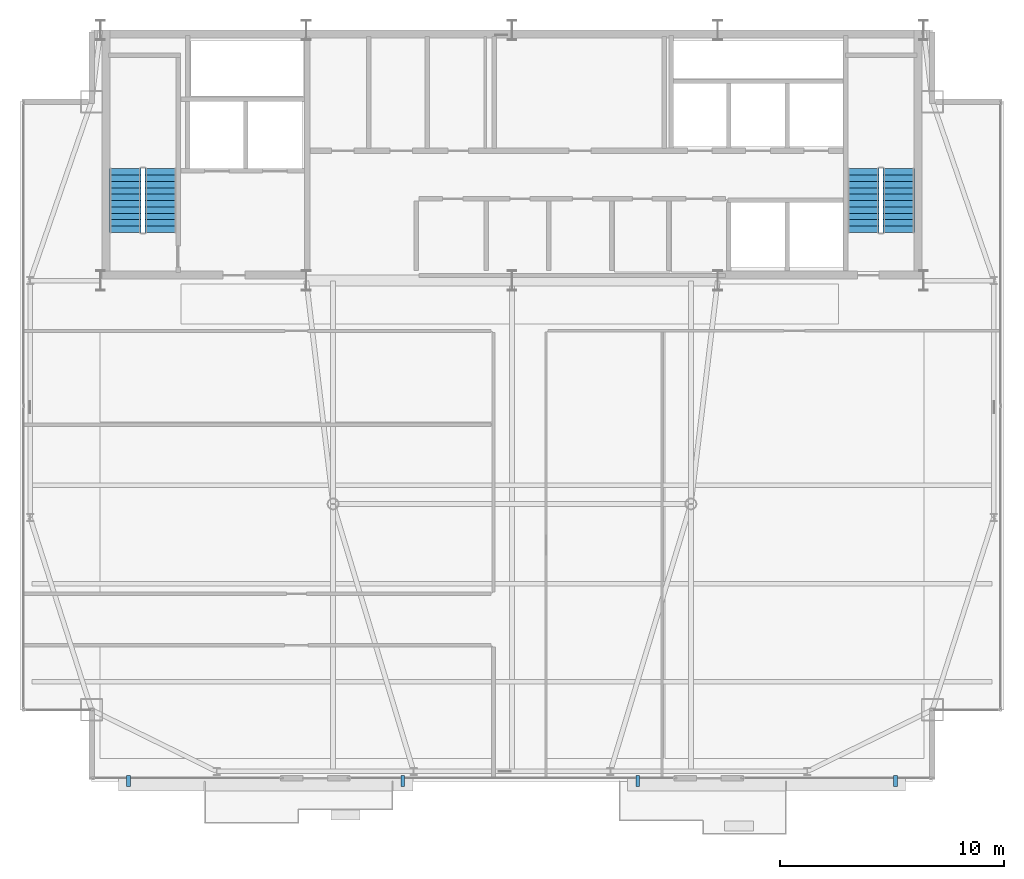
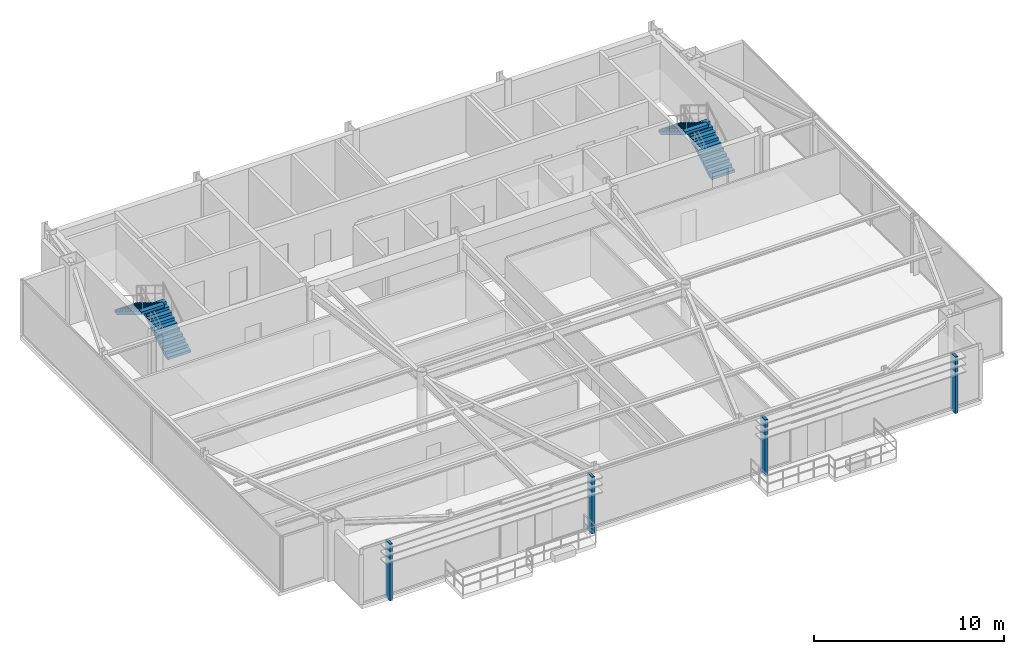
# One storey, part 21 of 23: 4 discrete accessories, 4 stair flights, 2 elements without a shape of their own.
"""IFC4 building model written with IfcOpenShell, lengths in metres."""

from ifc_helpers import new_model, si_unit, direction, frame, origin, origin_2d, place, context, subcontext, project, spatial, polyline, rectangle, outline, extrude, source, transform, mapped, material, layer, layer_set, type_object, type_shapes, element, aggregate, save


model = new_model("IFC4")

# Units and contexts
model_context = context("Model", 3, precision=1e-05, world=origin(), true_north=direction((0.0, 1.0)))
body_context = subcontext(model_context, "Body", "Model", "MODEL_VIEW")
ifc_project = project(units=[si_unit("LENGTHUNIT", "METRE"), si_unit("AREAUNIT", "SQUARE_METRE"), si_unit("VOLUMEUNIT", "CUBIC_METRE"), si_unit("PLANEANGLEUNIT", "RADIAN"), si_unit("MASSUNIT", "GRAM", prefix="KILO")], contexts=[model_context])

# Site, building, storey
site_placement = place(None, origin())
site = spatial("IfcSite", under=ifc_project, at=site_placement, CompositionType="ELEMENT")
building_placement = place(site_placement, origin())
building = spatial("IfcBuilding", under=site, at=building_placement, Name="Varnel Quay Broadcast Tower", CompositionType="ELEMENT")
storey_placement = place(building_placement, frame((0.0, 0.0, 266.0)))
storey = spatial("IfcBuildingStorey", under=building, at=storey_placement, Name="L66", CompositionType="ELEMENT", Elevation=266.0)

# Stair, stair flights
ifc_material_1 = material(Name="Precast Structural Concrete C40/50", Category="concrete")
stair_type_1 = type_object("IfcStairType", Name="Stair_ST-01", PredefinedType="HALF_TURN_STAIR", material=ifc_material_1)
stair_1_placement = place(storey_placement, origin())
stair_1 = element("IfcStair", 1, at=stair_1_placement, inside=storey, type_object=stair_type_1, Name="L66 West Core Exit Stair 1", PredefinedType="HALF_TURN_STAIR")
stair_flight_type_1 = type_object("IfcStairFlightType", Name="Flight_ST-01", PredefinedType="STRAIGHT", material=ifc_material_1)
stair_flight_1_placement = place(storey_placement, frame((18.300048828125, 37.75, 0.0), z_axis=(0.0, 0.0, 1.0), x_axis=(0.0, 1.0, 0.0)))
stair_flight_1 = element("IfcStairFlight", 2, at=stair_flight_1_placement, type_object=stair_flight_type_1, Name="ST-01 flight 1", NumberOfRisers=11, NumberOfTreads=10, PredefinedType="STRAIGHT", RiserHeight=0.172727273, TreadLength=0.285, context=body_context, shape_type="SweptSolid", body=[
    extrude(outline(polyline([(0.0, 0.0), (0.0, 0.172607421875), (0.284912109375, 0.172607421875), (0.284912109375, 0.345458984375), (0.570068359375, 0.345458984375), (0.570068359375, 0.51806640625), (0.85498046875, 0.51806640625), (0.85498046875, 0.69091796875), (1.139892578125, 0.69091796875), (1.139892578125, 0.863525390625), (1.425048828125, 0.863525390625), (1.425048828125, 1.036376953125), (1.7099609375, 1.036376953125), (1.7099609375, 1.208984375), (1.9951171875, 1.208984375), (1.9951171875, 1.3818359375), (2.280029296875, 1.3818359375), (2.280029296875, 1.554443359375), (2.56494140625, 1.554443359375), (2.56494140625, 1.727294921875), (2.85009765625, 1.727294921875), (2.85009765625, 1.89990234375), (2.85009765625, 1.552001953125), (0.289306640625, 0.0), (0.0, 0.0)])), frame((0.0, 0.699951171875, 0.0), z_axis=(0.0, -1.0, 0.0), x_axis=(1.0, 0.0, 0.0)), (0.0, 0.0, 1.0), 1.39990234375),
])
stair_flight_2_placement = place(storey_placement, frame((16.699951171875, 40.60009765625, 1.89990234375), z_axis=(0.0, 0.0, 1.0), x_axis=(0.0, -1.0, 0.0)))
stair_flight_2 = element("IfcStairFlight", 3, at=stair_flight_2_placement, type_object=stair_flight_type_1, Name="ST-01 flight 2", NumberOfRisers=11, NumberOfTreads=10, PredefinedType="STRAIGHT", RiserHeight=0.172727273, TreadLength=0.285, context=body_context, shape_type="SweptSolid", body=[
    extrude(outline(polyline([(0.0, 0.0), (0.0, 0.172607421875), (0.284912109375, 0.172607421875), (0.284912109375, 0.345458984375), (0.570068359375, 0.345458984375), (0.570068359375, 0.51806640625), (0.85498046875, 0.51806640625), (0.85498046875, 0.69091796875), (1.139892578125, 0.69091796875), (1.139892578125, 0.863525390625), (1.425048828125, 0.863525390625), (1.425048828125, 1.036376953125), (1.7099609375, 1.036376953125), (1.7099609375, 1.208984375), (1.9951171875, 1.208984375), (1.9951171875, 1.3818359375), (2.280029296875, 1.3818359375), (2.280029296875, 1.554443359375), (2.56494140625, 1.554443359375), (2.56494140625, 1.727294921875), (2.85009765625, 1.727294921875), (2.85009765625, 1.89990234375), (2.85009765625, 1.552001953125), (0.289306640625, 0.0), (0.0, 0.0)])), frame((0.0, 0.699951171875, 0.0), z_axis=(0.0, -1.0, 0.0), x_axis=(1.0, 0.0, 0.0)), (0.0, 0.0, 1.0), 1.39990234375),
])
aggregate(stair_1, [stair_flight_1, stair_flight_2])

stair_type_2 = type_object("IfcStairType", Name="Stair_ST-02", PredefinedType="HALF_TURN_STAIR", material=ifc_material_1)
stair_2_placement = place(storey_placement, origin())
stair_2 = element("IfcStair", 4, at=stair_2_placement, inside=storey, type_object=stair_type_2, Name="L66 East Core Exit Stair 2", PredefinedType="HALF_TURN_STAIR")
stair_flight_type_2 = type_object("IfcStairFlightType", Name="Flight_ST-02", PredefinedType="STRAIGHT", material=ifc_material_1)
stair_flight_3_placement = place(storey_placement, frame((51.300048828125, 37.75, 0.0), z_axis=(0.0, 0.0, 1.0), x_axis=(0.0, 1.0, 0.0)))
stair_flight_3 = element("IfcStairFlight", 5, at=stair_flight_3_placement, type_object=stair_flight_type_2, Name="ST-02 flight 1", NumberOfRisers=11, NumberOfTreads=10, PredefinedType="STRAIGHT", RiserHeight=0.172727273, TreadLength=0.285, context=body_context, shape_type="SweptSolid", body=[
    extrude(outline(polyline([(0.0, 0.0), (0.0, 0.172607421875), (0.284912109375, 0.172607421875), (0.284912109375, 0.345458984375), (0.570068359375, 0.345458984375), (0.570068359375, 0.51806640625), (0.85498046875, 0.51806640625), (0.85498046875, 0.69091796875), (1.139892578125, 0.69091796875), (1.139892578125, 0.863525390625), (1.425048828125, 0.863525390625), (1.425048828125, 1.036376953125), (1.7099609375, 1.036376953125), (1.7099609375, 1.208984375), (1.9951171875, 1.208984375), (1.9951171875, 1.3818359375), (2.280029296875, 1.3818359375), (2.280029296875, 1.554443359375), (2.56494140625, 1.554443359375), (2.56494140625, 1.727294921875), (2.85009765625, 1.727294921875), (2.85009765625, 1.89990234375), (2.85009765625, 1.552001953125), (0.289306640625, 0.0), (0.0, 0.0)])), frame((0.0, 0.699951171875, 0.0), z_axis=(0.0, -1.0, 0.0), x_axis=(1.0, 0.0, 0.0)), (0.0, 0.0, 1.0), 1.39990234375),
])
stair_flight_4_placement = place(storey_placement, frame((49.699951171875, 40.60009765625, 1.89990234375), z_axis=(0.0, 0.0, 1.0), x_axis=(0.0, -1.0, 0.0)))
stair_flight_4 = element("IfcStairFlight", 6, at=stair_flight_4_placement, type_object=stair_flight_type_2, Name="ST-02 flight 2", NumberOfRisers=11, NumberOfTreads=10, PredefinedType="STRAIGHT", RiserHeight=0.172727273, TreadLength=0.285, context=body_context, shape_type="SweptSolid", body=[
    extrude(outline(polyline([(0.0, 0.0), (0.0, 0.172607421875), (0.284912109375, 0.172607421875), (0.284912109375, 0.345458984375), (0.570068359375, 0.345458984375), (0.570068359375, 0.51806640625), (0.85498046875, 0.51806640625), (0.85498046875, 0.69091796875), (1.139892578125, 0.69091796875), (1.139892578125, 0.863525390625), (1.425048828125, 0.863525390625), (1.425048828125, 1.036376953125), (1.7099609375, 1.036376953125), (1.7099609375, 1.208984375), (1.9951171875, 1.208984375), (1.9951171875, 1.3818359375), (2.280029296875, 1.3818359375), (2.280029296875, 1.554443359375), (2.56494140625, 1.554443359375), (2.56494140625, 1.727294921875), (2.85009765625, 1.727294921875), (2.85009765625, 1.89990234375), (2.85009765625, 1.552001953125), (0.289306640625, 0.0), (0.0, 0.0)])), frame((0.0, 0.699951171875, 0.0), z_axis=(0.0, -1.0, 0.0), x_axis=(1.0, 0.0, 0.0)), (0.0, 0.0, 1.0), 1.39990234375),
])
aggregate(stair_2, [stair_flight_3, stair_flight_4])

# Discrete accessories
ifc_material_2 = material(Name="Anodised Bronze Aluminium 6063-T6", Category="aluminium")
ifc_layer = layer(ifc_material_2, 0.47998046875, Name="Anodised Bronze Aluminium 6063-T6")
ifc_layer_set = layer_set([ifc_layer], Name="Anodised Bronze Aluminium 6063-T6")
discrete_accessory_type = type_object("IfcDiscreteAccessoryType", Name="Acc_FacadeBracket", PredefinedType="BRACKET", material=ifc_layer_set)
shared_shape = source(origin(), body_context, "Body", "SweptSolid", [
    extrude(rectangle(XDim=0.159912109375, YDim=0.47998046875, at=origin_2d()), origin(), (0.0, 0.0, 1.0), 3.64990234375),
])
type_shapes(discrete_accessory_type, [shared_shape])
for number, where, z_axis, x_axis, name in (
    (7, (16.85009765625, 13.219970703125, -0.14990234375), (0.0, 0.0, 1.0), (1.0, 0.0, 0.0), "L66 Lobe 1 Louvre Support Bracket 1"),
    (8, (29.115966796875, 13.219970703125, -0.14990234375), (0.0, 0.0, 1.0), (1.0, 0.0, 0.0), "L66 Lobe 1 Louvre Support Bracket 2"),
    (9, (39.615966796875, 13.219970703125, -0.14990234375), (0.0, 0.0, 1.0), (1.0, 0.0, 0.0), "L66 Lobe 2 Louvre Support Bracket 1"),
    (10, (51.14990234375, 13.219970703125, -0.14990234375), (0.0, 0.0, 1.0), (1.0, 0.0, 0.0), "L66 Lobe 2 Louvre Support Bracket 2"),
):
    element("IfcDiscreteAccessory", number, at=place(storey_placement, frame(where, z_axis=z_axis, x_axis=x_axis)), inside=storey, type_object=discrete_accessory_type, Name=name, PredefinedType="BRACKET", context=body_context, shape_type="MappedRepresentation", body=[
        mapped(shared_shape, transform((0.0, 0.0, 0.0), x_axis=(1.0, 0.0, 0.0), y_axis=(0.0, 1.0, 0.0), z_axis=(0.0, 0.0, 1.0), scale=1.0)),
    ])

save(model, "model.ifc")
